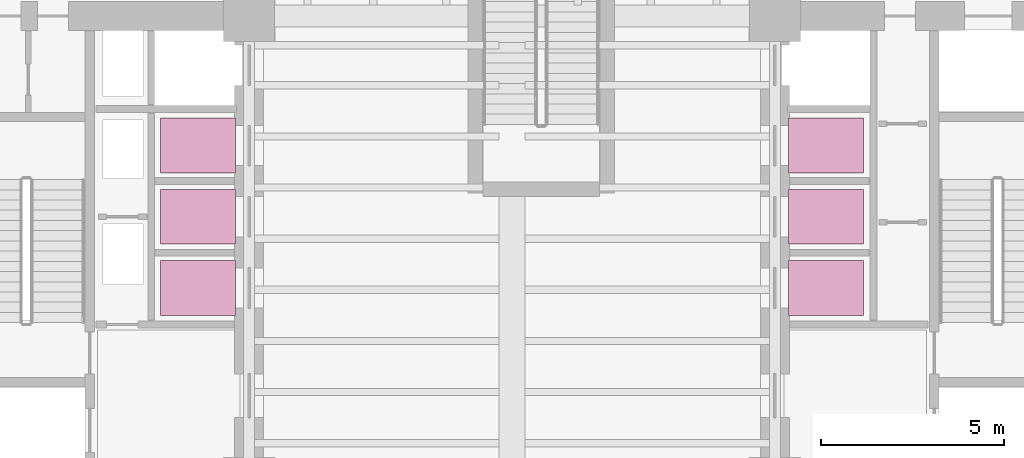
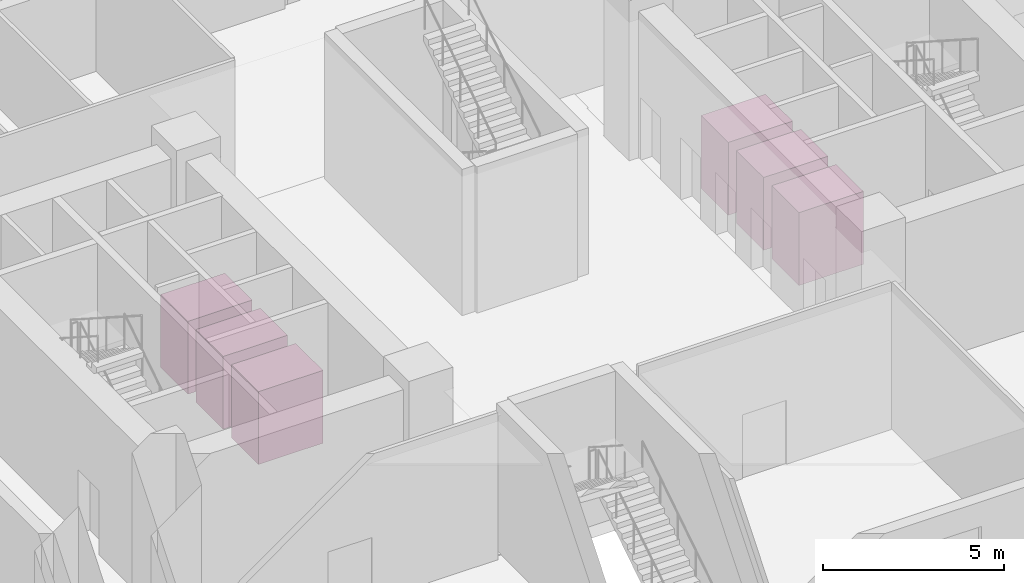
# One storey, part 12 of 12: 6 transport elements.
"""IFC4 building model written with IfcOpenShell, lengths in metres."""

import ifcopenshell
import ifcopenshell.guid

model = None  # the IFC model being written
_history = None  # IfcOwnerHistory: only IFC2X3 demands one
_inside = {}  # id of a spatial element -> (the spatial element, [elements in it])
_under = {}  # id of a project, library or spatial element -> (it, [spatial elements below it])
_declared = {}  # id of a project -> (the project, [libraries it declares])
_typed = {}  # id of a type object -> (the type object, [elements of that type])
_made_of = {}  # id of a material, layer set ... -> (it, [elements and type objects made of it])


def new_model(schema):
    """Start an empty IFC model of exactly this schema.

    Asked for "IFC4X3", IfcOpenShell would pick the latest addendum, in which some entities
    have other attributes; the version numbers below select the first issue.
    IFC2X3 requires an IfcOwnerHistory on every rooted entity: one is made here for all.
    """
    global model, _history
    if schema == "IFC4X3":
        model = ifcopenshell.file(schema_version=(4, 3, 0, 0))
    else:
        model = ifcopenshell.file(schema=schema)
    _inside.clear()
    _under.clear()
    _declared.clear()
    _typed.clear()
    _made_of.clear()
    _history = None
    if model.schema == "IFC2X3":
        org = make("IfcOrganization", Name="unknown")
        user = make(
            "IfcPersonAndOrganization",
            ThePerson=make("IfcPerson", FamilyName="unknown"),
            TheOrganization=org,
        )
        app = make(
            "IfcApplication",
            ApplicationDeveloper=org,
            Version="unknown",
            ApplicationFullName="unknown",
            ApplicationIdentifier="unknown",
        )
        _history = make(
            "IfcOwnerHistory",
            OwningUser=user,
            OwningApplication=app,
            ChangeAction="ADDED",
            CreationDate=0,
        )
    return model


def make(cls, **values):
    """One entity of the class cls with the attributes given. An attribute that is None is left unset."""
    return model.create_entity(
        cls, **{name: value for name, value in values.items() if value is not None}
    )


def rooted(cls, **values):
    """An entity with a GlobalId (a new one), such as an element, a storey or a relation."""
    return make(cls, GlobalId=ifcopenshell.guid.new(), OwnerHistory=_history, **values)


def si_unit(unit_type, name, prefix=None):
    """IfcSIUnit, for example si_unit("LENGTHUNIT", "METRE", prefix="MILLI")."""
    return make("IfcSIUnit", UnitType=unit_type, Prefix=prefix, Name=name)


def assignment(units):
    """IfcUnitAssignment: the units of a project."""
    return None if units is None else make("IfcUnitAssignment", Units=units)


def point(xyz):
    """IfcCartesianPoint."""
    return None if xyz is None else make("IfcCartesianPoint", Coordinates=xyz)


def direction(xyz):
    """IfcDirection."""
    return None if xyz is None else make("IfcDirection", DirectionRatios=xyz)


def frame(location, z_axis=None, x_axis=None):
    """IfcAxis2Placement3D, a coordinate frame: its origin and axes. An axis left out is left unset."""
    return make(
        "IfcAxis2Placement3D",
        Location=point(location),
        Axis=direction(z_axis),
        RefDirection=direction(x_axis),
    )


def frame_2d(location, x_axis=None):
    """IfcAxis2Placement2D, a coordinate frame in the plane: its origin and x axis."""
    return make(
        "IfcAxis2Placement2D", Location=point(location), RefDirection=direction(x_axis)
    )


def origin():
    """The frame at (0, 0, 0) with its axes left unset."""
    return frame((0.0, 0.0, 0.0))


def origin_2d():
    """The frame at (0, 0) in the plane with its x axis left unset."""
    return frame_2d((0.0, 0.0))


def place(relative_to, where):
    """IfcLocalPlacement: puts the frame where relative to a parent placement (None: the world)."""
    return make(
        "IfcLocalPlacement", PlacementRelTo=relative_to, RelativePlacement=where
    )


def context(
    kind, dimensions, precision=None, world=None, true_north=None, identifier=None
):
    """IfcGeometricRepresentationContext, for example the 3D "Model" context."""
    return make(
        "IfcGeometricRepresentationContext",
        ContextIdentifier=identifier,
        ContextType=kind,
        CoordinateSpaceDimension=dimensions,
        Precision=precision,
        WorldCoordinateSystem=world,
        TrueNorth=true_north,
    )


def subcontext(parent, identifier, kind, view, scale=None):
    """IfcGeometricRepresentationSubContext, for example "Body" below "Model"."""
    return make(
        "IfcGeometricRepresentationSubContext",
        ContextIdentifier=identifier,
        ContextType=kind,
        ParentContext=parent,
        TargetScale=scale,
        TargetView=view,
    )


def project(units=None, contexts=None):
    """IfcProject with its units and contexts."""
    return rooted(
        "IfcProject",
        Name="project",
        RepresentationContexts=contexts,
        UnitsInContext=assignment(units),
    )


def spatial(cls, under=None, at=None, **own):
    """A site, building, storey or space (cls), placed at a placement, below another one or the project."""
    s = rooted(cls, ObjectPlacement=at, **own)
    if under is not None:
        _under.setdefault(under.id(), (under, []))[1].append(s)
    return s


def profile(cls, at=None, kind="AREA", **sizes):
    """A parametric profile (cls). Its sizes go by their IFC names, for example OverallWidth=200.0."""
    return make(cls, ProfileType=kind, Position=at, **sizes)


def rectangle(**sizes):
    """IfcRectangleProfileDef."""
    return profile("IfcRectangleProfileDef", **sizes)


def extrude(swept, where, along, depth):
    """IfcExtrudedAreaSolid: the profile swept, set in the frame where, extruded along a direction by depth."""
    return make(
        "IfcExtrudedAreaSolid",
        SweptArea=swept,
        Position=where,
        ExtrudedDirection=direction(along),
        Depth=depth,
    )


def shape(context_of_items, identifier, shape_type, items):
    """IfcShapeRepresentation: the items that make up one representation, for example the "Body"."""
    return make(
        "IfcShapeRepresentation",
        ContextOfItems=context_of_items,
        RepresentationIdentifier=identifier,
        RepresentationType=shape_type,
        Items=items,
    )


def material(Name=None, Category=None):
    """IfcMaterial."""
    return make("IfcMaterial", Name=Name, Category=Category)


def made_of(thing, what):
    """Note that an element or type object is made of a material, layer set ...; save() writes the relation."""
    if what is not None:
        _made_of.setdefault(what.id(), (what, []))[1].append(thing)
    return thing


def type_object(cls, material=None, **own):
    """A type object (cls), such as IfcWallType, which elements share."""
    return made_of(rooted(cls, **own), material)


def element(
    cls,
    number,
    at=None,
    inside=None,
    cuts=None,
    type_object=None,
    material=None,
    context=None,
    identifier="Body",
    shape_type=None,
    held_by="IfcProductDefinitionShape",
    body=None,
    shapes=None,
    **own,
):
    """One element of the class cls, such as IfcWall. Its Tag is "e" and its number.

    at: its placement. inside: the storey or other place that contains it. cuts: it is an
    opening in that element (IfcRelVoidsElement). A single representation is given by context,
    identifier, shape_type and body (its items); several are given by shapes. held_by: the class
    of the entity that holds the representations. save() writes the other relations.
    """
    e = rooted(cls, Tag="e%d" % number, ObjectPlacement=at, **own)
    if body is not None:
        shapes = [shape(context, identifier, shape_type, body)]
    if shapes is not None:
        e.Representation = make(held_by, Representations=shapes)
    if inside is not None:
        _inside.setdefault(inside.id(), (inside, []))[1].append(e)
    if cuts is not None:
        rooted(
            "IfcRelVoidsElement", RelatingBuildingElement=cuts, RelatedOpeningElement=e
        )
    if type_object is not None:
        _typed.setdefault(type_object.id(), (type_object, []))[1].append(e)
    return made_of(e, material)


def aggregate(whole, parts):
    """IfcRelAggregates: a whole, such as a stair, and the parts it consists of."""
    return rooted("IfcRelAggregates", RelatingObject=whole, RelatedObjects=parts)


def save(model, path):
    """Write the relations noted so far, then the file.

    IfcRelAggregates (storeys below a building ...), IfcRelContainedInSpatialStructure (elements
    in a storey), IfcRelDefinesByType, IfcRelAssociatesMaterial and IfcRelDeclares: one each for
    every whole, place, type object, material and project.
    """
    for whole, parts in _under.values():
        aggregate(whole, parts)
    for where, things in _inside.values():
        rooted(
            "IfcRelContainedInSpatialStructure",
            RelatedElements=things,
            RelatingStructure=where,
        )
    for kind, things in _typed.values():
        rooted("IfcRelDefinesByType", RelatedObjects=things, RelatingType=kind)
    for what, things in _made_of.values():
        rooted("IfcRelAssociatesMaterial", RelatedObjects=things, RelatingMaterial=what)
    for by, libraries in _declared.values():
        rooted("IfcRelDeclares", RelatingContext=by, RelatedDefinitions=libraries)
    model.write(path)


model = new_model("IFC4")

# Units and contexts
model_context = context("Model", 3, precision=1e-05, world=origin(), true_north=direction((0.0, 1.0)))
body_context = subcontext(model_context, "Body", "Model", "MODEL_VIEW")
ifc_project = project(units=[si_unit("LENGTHUNIT", "METRE"), si_unit("AREAUNIT", "SQUARE_METRE"), si_unit("VOLUMEUNIT", "CUBIC_METRE"), si_unit("PLANEANGLEUNIT", "RADIAN"), si_unit("MASSUNIT", "GRAM", prefix="KILO")], contexts=[model_context])

# Site, building, storey
site_placement = place(None, origin())
site = spatial("IfcSite", under=ifc_project, at=site_placement, CompositionType="ELEMENT")
building_placement = place(site_placement, origin())
building = spatial("IfcBuilding", under=site, at=building_placement, Name="Kranthara Brick Stack", CompositionType="ELEMENT")
storey_placement = place(building_placement, origin())
storey = spatial("IfcBuildingStorey", under=building, at=storey_placement, Name="L00", CompositionType="ELEMENT", Elevation=0.0)

# Transport elements
ifc_material = material(Name="Brushed stainless steel elevator car", Category="steel")
transport_element_type = type_object("IfcTransportElementType", Name="LFT-PASS-1600", PredefinedType="ELEVATOR", material=ifc_material)
for number, where, z_axis, x_axis, name in (
    (1, (19.39990234375, 26.14990234375, 0.0), (0.0, 0.0, 1.0), (1.0, 0.0, 0.0), "Low-Rise Passenger Lift PL-01"),
    (2, (19.39990234375, 28.10009765625, 0.0), (0.0, 0.0, 1.0), (1.0, 0.0, 0.0), "Low-Rise Passenger Lift PL-02"),
    (3, (19.39990234375, 30.050048828125, 0.0), (0.0, 0.0, 1.0), (1.0, 0.0, 0.0), "Low-Rise Passenger Lift PL-03"),
    (4, (36.60009765625, 26.14990234375, 0.0), (0.0, 0.0, 1.0), (1.0, 0.0, 0.0), "Mid-Rise Passenger Lift PL-04"),
    (5, (36.60009765625, 28.10009765625, 0.0), (0.0, 0.0, 1.0), (1.0, 0.0, 0.0), "Mid-Rise Passenger Lift PL-05"),
    (6, (36.60009765625, 30.050048828125, 0.0), (0.0, 0.0, 1.0), (1.0, 0.0, 0.0), "Mid-Rise Passenger Lift PL-06"),
):
    element("IfcTransportElement", number, at=place(storey_placement, frame(where, z_axis=z_axis, x_axis=x_axis)), inside=storey, type_object=transport_element_type, Name=name, PredefinedType="ELEVATOR", context=body_context, shape_type="SweptSolid", body=[
        extrude(rectangle(XDim=2.050048828125, YDim=1.5, at=origin_2d()), origin(), (0.0, 0.0, 1.0), 2.449951171875),
    ])

save(model, "model.ifc")
